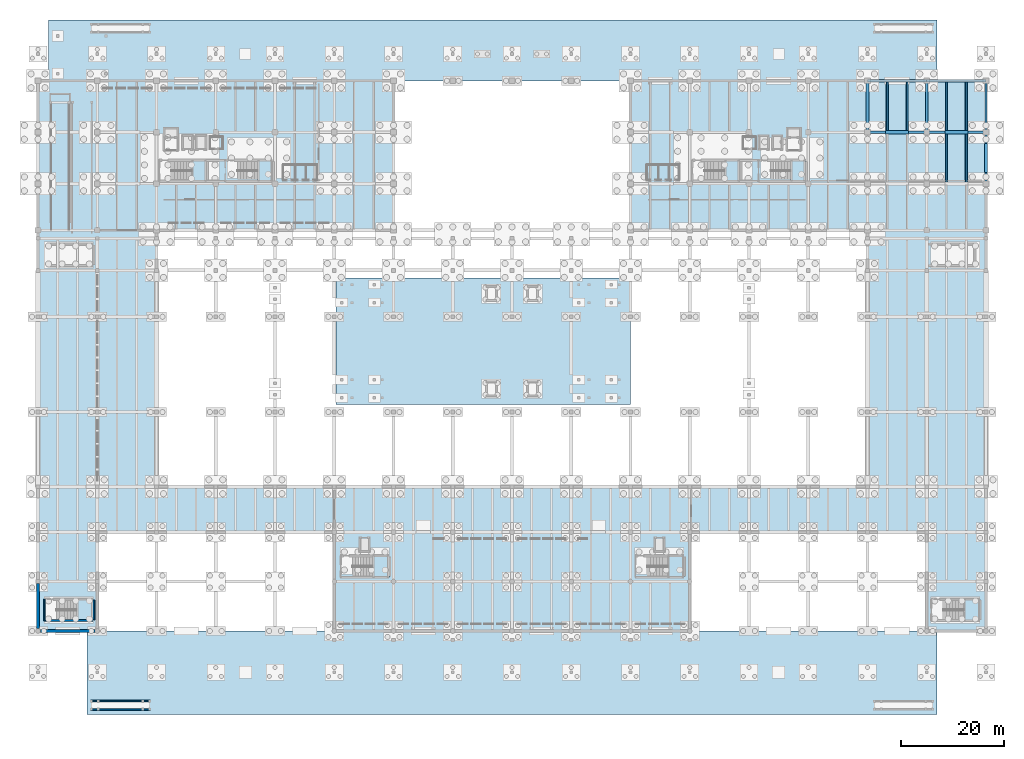
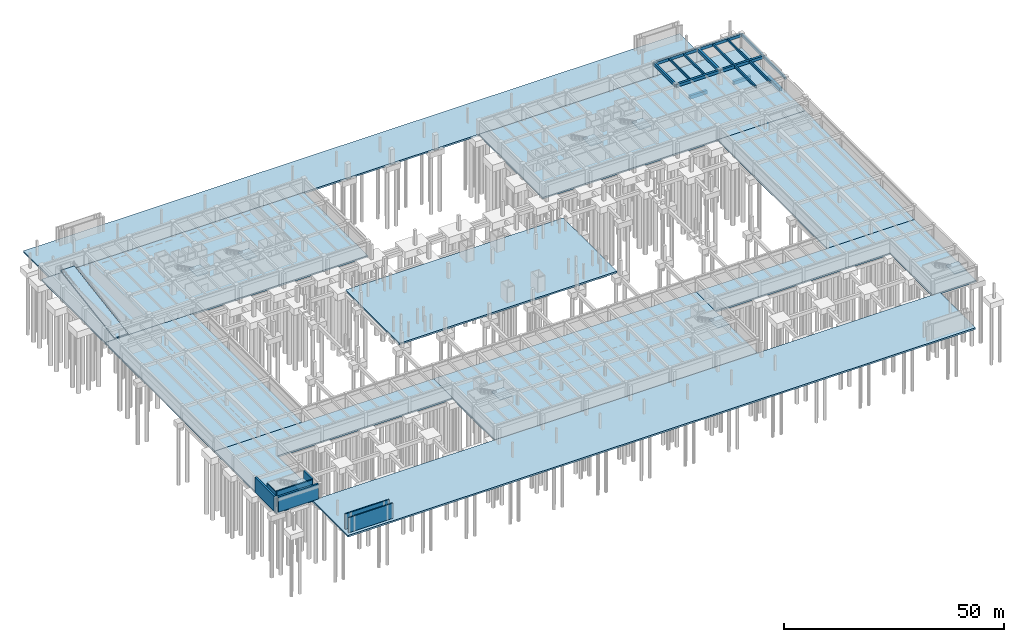
# One storey, part 16 of 28: 19 slabs, 17 beams, 7 walls, 8 elements without a shape of their own.
"""IFC4 building model written with IfcOpenShell, lengths in metres."""

from ifc_helpers import new_model, si_unit, direction, frame, frame_2d, origin, origin_2d, place, context, subcontext, project, spatial, polyline, rectangle, outline, extrude, material, layer, layer_set, material_profile, profile_set, type_object, element, aggregate, save


model = new_model("IFC4")

# Units and contexts
model_context = context("Model", 3, precision=1e-05, world=origin(), true_north=direction((0.0, 1.0)))
body_context = subcontext(model_context, "Body", "Model", "MODEL_VIEW")
ifc_project = project(units=[si_unit("LENGTHUNIT", "METRE"), si_unit("AREAUNIT", "SQUARE_METRE"), si_unit("VOLUMEUNIT", "CUBIC_METRE"), si_unit("PLANEANGLEUNIT", "RADIAN"), si_unit("MASSUNIT", "GRAM", prefix="KILO")], contexts=[model_context])

# Site, building, storey
site_placement = place(None, origin())
site = spatial("IfcSite", under=ifc_project, at=site_placement, CompositionType="ELEMENT")
building_placement = place(site_placement, origin())
building = spatial("IfcBuilding", under=site, at=building_placement, Name="Ologun Quay Terminus", CompositionType="ELEMENT")
storey_placement = place(building_placement, frame((0.0, 0.0, -8.39990234375)))
storey = spatial("IfcBuildingStorey", under=building, at=storey_placement, Name="B02", CompositionType="ELEMENT", Elevation=-8.39990234375)

# Beams
ifc_material_1 = material(Name="Concrete C40/50", Category="concrete")
ifc_material_profile_1 = material_profile(ifc_material_1, rectangle(XDim=0.550048828125, YDim=0.800048828125, at=origin_2d()), Name="RC 550x800")
ifc_profile_set_1 = profile_set([ifc_material_profile_1], Name="Concrete C40/50")
beam_type_1 = type_object("IfcBeamType", Name="Courtyard Wing Primary Girder 550x800", PredefinedType="BEAM", material=ifc_profile_set_1)
for number, where, z_axis, x_axis, name in (
    (1, (161.0, 104.800048828125, 3.52001953125), (1.0, 0.0, 0.0), (0.0, 1.0, 0.0), "B4 Beam 15/J B02"),
    (2, (172.5, 104.800048828125, 3.52001953125), (1.0, 0.0, 0.0), (0.0, 1.0, 0.0), "B4 Beam 16/J B02"),
    (3, (161.0, 114.800048828125, 3.52001953125), (1.0, 0.0, 0.0), (0.0, 1.0, 0.0), "B4 Beam 15/K B02"),
    (4, (172.5, 114.800048828125, 3.52001953125), (1.0, 0.0, 0.0), (0.0, 1.0, 0.0), "B4 Beam 16/K B02"),
):
    element("IfcBeam", number, at=place(storey_placement, frame(where, z_axis=z_axis, x_axis=x_axis)), inside=storey, type_object=beam_type_1, Name=name, PredefinedType="BEAM", context=body_context, shape_type="SweptSolid", body=[
        extrude(rectangle(XDim=0.550048828125, YDim=0.800048828125, at=origin_2d()), origin(), (0.0, 0.0, 1.0), 11.5),
    ])
for number, where, z_axis, x_axis, name in (
    (5, (161.0, 104.800048828125, 3.52001953125), (0.0, 1.0, 0.0), (-1.0, 0.0, 0.0), "B4 Beam 15/J B02"),
    (6, (172.5, 104.800048828125, 3.52001953125), (0.0, 1.0, 0.0), (-1.0, 0.0, 0.0), "B4 Beam 16/J B02"),
):
    element("IfcBeam", number, at=place(storey_placement, frame(where, z_axis=z_axis, x_axis=x_axis)), inside=storey, type_object=beam_type_1, Name=name, PredefinedType="BEAM", context=body_context, shape_type="SweptSolid", body=[
        extrude(rectangle(XDim=0.550048828125, YDim=0.800048828125, at=origin_2d()), origin(), (0.0, 0.0, 1.0), 10.0),
    ])
ifc_material_2 = material(Name="Concrete C40/50", Category="concrete")
ifc_material_profile_2 = material_profile(ifc_material_2, rectangle(XDim=0.35009765625, YDim=0.550048828125, at=origin_2d()), Name="RC 350x550")
ifc_profile_set_2 = profile_set([ifc_material_profile_2], Name="Concrete C40/50")
beam_type_2 = type_object("IfcBeamType", Name="Courtyard Wing Secondary Joist 350x550", PredefinedType="JOIST", material=ifc_profile_set_2)
for number, where, z_axis, x_axis, name in (
    (7, (164.833251953125, 105.074951171875, 3.64501953125), (0.0, 1.0, 0.0), (-1.0, 0.0, 0.0), "J2 Beam 15/J B02"),
    (8, (168.666748046875, 105.074951171875, 3.64501953125), (0.0, 1.0, 0.0), (-1.0, 0.0, 0.0), "J2 Beam 15/J B02"),
    (9, (176.333251953125, 95.074951171875, 3.64501953125), (0.0, 1.0, 0.0), (-1.0, 0.0, 0.0), "J2 Beam 16/H B02"),
    (10, (180.166748046875, 95.074951171875, 3.64501953125), (0.0, 1.0, 0.0), (-1.0, 0.0, 0.0), "J2 Beam 16/H B02"),
    (11, (176.333251953125, 105.074951171875, 3.64501953125), (0.0, 1.0, 0.0), (-1.0, 0.0, 0.0), "J2 Beam 16/J B02"),
    (12, (180.166748046875, 105.074951171875, 3.64501953125), (0.0, 1.0, 0.0), (-1.0, 0.0, 0.0), "J2 Beam 16/J B02"),
):
    element("IfcBeam", number, at=place(storey_placement, frame(where, z_axis=z_axis, x_axis=x_axis)), inside=storey, type_object=beam_type_2, Name=name, PredefinedType="JOIST", context=body_context, shape_type="SweptSolid", body=[
        extrude(rectangle(XDim=0.35009765625, YDim=0.550048828125, at=origin_2d()), origin(), (0.0, 0.0, 1.0), 9.449951171875),
    ])
ifc_material_3 = material(Name="Concrete C35/45", Category="concrete")
ifc_material_profile_3 = material_profile(ifc_material_3, rectangle(XDim=0.64990234375, YDim=0.949951171875, at=origin_2d()), Name="RC 650x950")
ifc_profile_set_3 = profile_set([ifc_material_profile_3], Name="Concrete C35/45")
beam_type_3 = type_object("IfcBeamType", Name="Foundation Tie Beam 650x950", PredefinedType="BEAM", material=ifc_profile_set_3)
for number, where, z_axis, x_axis, name in (
    (13, (164.5, 104.800048828125, -0.925048828125), (1.0, 0.0, 0.0), (0.0, 1.0, 0.0), "GB1 Beam 1/J B02"),
    (14, (176.0, 104.800048828125, -0.925048828125), (1.0, 0.0, 0.0), (0.0, 1.0, 0.0), "GB1 Beam 1/J B02"),
):
    element("IfcBeam", number, at=place(storey_placement, frame(where, z_axis=z_axis, x_axis=x_axis)), inside=storey, type_object=beam_type_3, Name=name, PredefinedType="BEAM", context=body_context, shape_type="SweptSolid", body=[
        extrude(rectangle(XDim=0.64990234375, YDim=0.949951171875, at=origin_2d()), origin(), (0.0, 0.0, 1.0), 4.5),
    ])
beam_placement = place(storey_placement, frame((184.0, 97.0, -0.925048828125), z_axis=(0.0, 1.0, 0.0), x_axis=(-1.0, 0.0, 0.0)))
element("IfcBeam", 15, at=beam_placement, inside=storey, type_object=beam_type_3, Name="GB1 Beam 17/B B02", PredefinedType="BEAM", context=body_context, shape_type="SweptSolid", body=[
    extrude(rectangle(XDim=0.64990234375, YDim=0.949951171875, at=origin_2d()), origin(), (0.0, 0.0, 1.0), 5.60009765625),
])
ifc_material_4 = material(Name="Concrete C40/50", Category="concrete")
ifc_material_profile_4 = material_profile(ifc_material_4, rectangle(XDim=0.449951171875, YDim=0.699951171875, at=origin_2d()), Name="RC 450x700")
ifc_profile_set_4 = profile_set([ifc_material_profile_4], Name="Concrete C40/50")
beam_type_4 = type_object("IfcBeamType", Name="Perimeter Spandrel Beam 450x700", PredefinedType="SPANDREL", material=ifc_profile_set_4)
for number, where, z_axis, x_axis, name in (
    (16, (184.0, 94.800048828125, 3.56982421875), (0.0, 1.0, 0.0), (-1.0, 0.0, 0.0), "SP1 Beam 17/H B02"),
    (17, (184.0, 104.800048828125, 3.56982421875), (0.0, 1.0, 0.0), (-1.0, 0.0, 0.0), "SP1 Beam 17/J B02"),
):
    element("IfcBeam", number, at=place(storey_placement, frame(where, z_axis=z_axis, x_axis=x_axis)), inside=storey, type_object=beam_type_4, Name=name, PredefinedType="SPANDREL", context=body_context, shape_type="SweptSolid", body=[
        extrude(rectangle(XDim=0.449951171875, YDim=0.699951171875, at=origin_2d()), origin(), (0.0, 0.0, 1.0), 10.0),
    ])

# Slabs
ifc_material_5 = material(Name="Concrete C35/45", Category="concrete")
ifc_layer_1 = layer(ifc_material_5, 0.449951171875)
ifc_layer_set_1 = layer_set([ifc_layer_1], Name="Concrete C35/45")
slab_type_1 = type_object("IfcSlabType", Name="Basement Mat Base Slab 450", PredefinedType="BASESLAB", material=ifc_layer_set_1)
slab_1_placement = place(storey_placement, frame((0.0, 0.0, -0.4501953125)))
element("IfcSlab", 18, at=slab_1_placement, inside=storey, type_object=slab_type_1, Name="SL-BS Base Mat Slab STHW", PredefinedType="BASESLAB", context=body_context, shape_type="SweptSolid", body=[
    extrude(outline(polyline([(0.0, 8.0), (11.5, 8.0), (11.5, 27.199951171875), (57.5, 27.199951171875), (57.5, 36.0), (0.0, 36.0), (0.0, 8.0)])), origin(), (0.0, 0.0, 1.0), 0.4501953125),
])
slab_2_placement = place(storey_placement, frame((0.0, 0.0, -0.4501953125)))
element("IfcSlab", 19, at=slab_2_placement, inside=storey, type_object=slab_type_1, Name="SL-BS Base Mat Slab STHC", PredefinedType="BASESLAB", context=body_context, shape_type="SweptSolid", body=[
    extrude(outline(polyline([(57.5, 8.0), (126.5, 8.0), (126.5, 36.0), (57.5, 36.0), (57.5, 8.0)])), origin(), (0.0, 0.0, 1.0), 0.4501953125),
])
slab_3_placement = place(storey_placement, frame((0.0, 0.0, -0.4501953125)))
element("IfcSlab", 20, at=slab_3_placement, inside=storey, type_object=slab_type_1, Name="SL-BS Base Mat Slab STHE", PredefinedType="BASESLAB", context=body_context, shape_type="SweptSolid", body=[
    extrude(outline(polyline([(126.5, 27.199951171875), (172.5, 27.199951171875), (172.5, 8.0), (184.0, 8.0), (184.0, 36.0), (126.5, 36.0), (126.5, 27.199951171875)])), origin(), (0.0, 0.0, 1.0), 0.4501953125),
])
slab_4_placement = place(storey_placement, frame((0.0, 0.0, -0.4501953125)))
element("IfcSlab", 21, at=slab_4_placement, inside=storey, type_object=slab_type_1, Name="SL-BS Base Mat Slab WLNK", PredefinedType="BASESLAB", context=body_context, shape_type="SweptSolid", body=[
    extrude(outline(polyline([(0.0, 36.0), (23.0, 36.0), (23.0, 85.800048828125), (0.0, 85.800048828125), (0.0, 36.0)])), origin(), (0.0, 0.0, 1.0), 0.4501953125),
])
slab_5_placement = place(storey_placement, frame((0.0, 0.0, -0.4501953125)))
element("IfcSlab", 22, at=slab_5_placement, inside=storey, type_object=slab_type_1, Name="SL-BS Base Mat Slab ELNK", PredefinedType="BASESLAB", context=body_context, shape_type="SweptSolid", body=[
    extrude(outline(polyline([(161.0, 36.0), (184.0, 36.0), (184.0, 85.800048828125), (161.0, 85.800048828125), (161.0, 36.0)])), origin(), (0.0, 0.0, 1.0), 0.4501953125),
])
slab_6_placement = place(storey_placement, frame((0.0, 0.0, -0.4501953125)))
element("IfcSlab", 23, at=slab_6_placement, inside=storey, type_object=slab_type_1, Name="SL-BS Base Mat Slab WWNG", PredefinedType="BASESLAB", context=body_context, shape_type="SweptSolid", body=[
    extrude(outline(polyline([(0.0, 85.800048828125), (69.0, 85.800048828125), (69.0, 114.800048828125), (0.0, 114.800048828125), (0.0, 85.800048828125)])), origin(), (0.0, 0.0, 1.0), 0.4501953125),
])
slab_7_placement = place(storey_placement, frame((0.0, 0.0, -0.4501953125)))
element("IfcSlab", 24, at=slab_7_placement, inside=storey, type_object=slab_type_1, Name="SL-BS Base Mat Slab EWNG", PredefinedType="BASESLAB", context=body_context, shape_type="SweptSolid", body=[
    extrude(outline(polyline([(115.0, 85.800048828125), (184.0, 85.800048828125), (184.0, 114.800048828125), (115.0, 114.800048828125), (115.0, 85.800048828125)])), origin(), (0.0, 0.0, 1.0), 0.4501953125),
])
slab_8_placement = place(storey_placement, frame((0.0, 0.0, -0.4501953125)))
element("IfcSlab", 25, at=slab_8_placement, inside=storey, type_object=slab_type_1, Name="SL-BS Base Mat Slab RMPS", PredefinedType="BASESLAB", context=body_context, shape_type="SweptSolid", body=[
    extrude(outline(polyline([(9.5, -8.199951171875), (174.5, -8.199951171875), (174.5, 8.0), (9.5, 8.0), (9.5, -8.199951171875)])), origin(), (0.0, 0.0, 1.0), 0.4501953125),
])
slab_9_placement = place(storey_placement, frame((0.0, 0.0, -0.4501953125)))
element("IfcSlab", 26, at=slab_9_placement, inside=storey, type_object=slab_type_1, Name="SL-BS Base Mat Slab RMPN", PredefinedType="BASESLAB", context=body_context, shape_type="SweptSolid", body=[
    extrude(outline(polyline([(2.0, 114.800048828125), (174.5, 114.800048828125), (174.5, 126.60009765625), (2.0, 126.60009765625), (2.0, 114.800048828125)])), origin(), (0.0, 0.0, 1.0), 0.4501953125),
])
slab_10_placement = place(storey_placement, frame((0.0, 0.0, -0.4501953125)))
element("IfcSlab", 27, at=slab_10_placement, inside=storey, type_object=slab_type_1, Name="SL-BS Base Mat Slab PSTS", PredefinedType="BASESLAB", context=body_context, shape_type="SweptSolid", body=[
    extrude(outline(polyline([(57.800048828125, 52.0), (115.0, 52.0), (115.0, 76.5), (57.800048828125, 76.5), (57.800048828125, 52.0)])), origin(), (0.0, 0.0, 1.0), 0.4501953125),
])

# Stair, slab
ifc_material_6 = material(Name="Concrete C40/50", Category="concrete")
stair_type_1 = type_object("IfcStairType", Name="Courtyard Wing Core Escape Stair 1700", PredefinedType="HALF_TURN_STAIR", material=ifc_material_6)
stair_1_placement = place(storey_placement, origin())
stair_1 = element("IfcStair", 28, at=stair_1_placement, inside=storey, type_object=stair_type_1, Name="ST-W1 Stair B02", PredefinedType="HALF_TURN_STAIR")
ifc_material_7 = material(Name="Precast Concrete C40/50", Category="concrete")
ifc_layer_2 = layer(ifc_material_7, 0.179931640625)
ifc_layer_set_2 = layer_set([ifc_layer_2], Name="Precast Concrete C40/50")
slab_type_2 = type_object("IfcSlabType", Name="Precast Stair Half-Landing Slab 180", PredefinedType="LANDING", material=ifc_layer_set_2)
slab_11_placement = place(storey_placement, frame((0.0, 0.0, 1.919921875)))
slab_11 = element("IfcSlab", 29, at=slab_11_placement, type_object=slab_type_2, Name="ST-W1 Half-Landing B02", PredefinedType="LANDING", context=body_context, shape_type="SweptSolid", body=[
    extrude(outline(polyline([(29.719970703125, 95.469970703125), (32.72998046875, 95.469970703125), (32.72998046875, 99.22998046875), (29.719970703125, 99.22998046875), (29.719970703125, 95.469970703125)])), origin(), (0.0, 0.0, 1.0), 0.179931640625),
])
aggregate(stair_1, [slab_11])

stair_2_placement = place(storey_placement, origin())
stair_2 = element("IfcStair", 30, at=stair_2_placement, inside=storey, type_object=stair_type_1, Name="ST-W2 Stair B02", PredefinedType="HALF_TURN_STAIR")
slab_12_placement = place(storey_placement, frame((0.0, 0.0, 1.919921875)))
slab_12 = element("IfcSlab", 31, at=slab_12_placement, type_object=slab_type_2, Name="ST-W2 Half-Landing B02", PredefinedType="LANDING", context=body_context, shape_type="SweptSolid", body=[
    extrude(outline(polyline([(42.570068359375, 95.469970703125), (45.530029296875, 95.469970703125), (45.530029296875, 99.22998046875), (42.570068359375, 99.22998046875), (42.570068359375, 95.469970703125)])), origin(), (0.0, 0.0, 1.0), 0.179931640625),
])
aggregate(stair_2, [slab_12])

stair_3_placement = place(storey_placement, origin())
stair_3 = element("IfcStair", 32, at=stair_3_placement, inside=storey, type_object=stair_type_1, Name="ST-E1 Stair B02", PredefinedType="HALF_TURN_STAIR")
slab_13_placement = place(storey_placement, frame((0.0, 0.0, 1.919921875)))
slab_13 = element("IfcSlab", 33, at=slab_13_placement, type_object=slab_type_2, Name="ST-E1 Half-Landing B02", PredefinedType="LANDING", context=body_context, shape_type="SweptSolid", body=[
    extrude(outline(polyline([(133.219970703125, 95.469970703125), (136.22998046875, 95.469970703125), (136.22998046875, 99.22998046875), (133.219970703125, 99.22998046875), (133.219970703125, 95.469970703125)])), origin(), (0.0, 0.0, 1.0), 0.179931640625),
])
aggregate(stair_3, [slab_13])

stair_4_placement = place(storey_placement, origin())
stair_4 = element("IfcStair", 34, at=stair_4_placement, inside=storey, type_object=stair_type_1, Name="ST-E2 Stair B02", PredefinedType="HALF_TURN_STAIR")
slab_14_placement = place(storey_placement, frame((0.0, 0.0, 1.919921875)))
slab_14 = element("IfcSlab", 35, at=slab_14_placement, type_object=slab_type_2, Name="ST-E2 Half-Landing B02", PredefinedType="LANDING", context=body_context, shape_type="SweptSolid", body=[
    extrude(outline(polyline([(146.070068359375, 95.469970703125), (149.030029296875, 95.469970703125), (149.030029296875, 99.22998046875), (146.070068359375, 99.22998046875), (146.070068359375, 95.469970703125)])), origin(), (0.0, 0.0, 1.0), 0.179931640625),
])
aggregate(stair_4, [slab_14])

ifc_material_8 = material(Name="Concrete C40/50", Category="concrete")
stair_type_2 = type_object("IfcStairType", Name="Station Concourse Escape Stair 1800", PredefinedType="HALF_TURN_STAIR", material=ifc_material_8)
stair_5_placement = place(storey_placement, origin())
stair_5 = element("IfcStair", 36, at=stair_5_placement, inside=storey, type_object=stair_type_2, Name="ST-S1 Stair B02", PredefinedType="HALF_TURN_STAIR")
slab_15_placement = place(storey_placement, frame((0.0, 0.0, 1.919921875)))
slab_15 = element("IfcSlab", 37, at=slab_15_placement, type_object=slab_type_2, Name="ST-S1 Half-Landing B02", PredefinedType="LANDING", context=body_context, shape_type="SweptSolid", body=[
    extrude(outline(polyline([(7.469970703125, 10.1201171875), (10.72998046875, 10.1201171875), (10.72998046875, 14.080078125), (7.469970703125, 14.080078125), (7.469970703125, 10.1201171875)])), origin(), (0.0, 0.0, 1.0), 0.179931640625),
])
aggregate(stair_5, [slab_15])

stair_6_placement = place(storey_placement, origin())
stair_6 = element("IfcStair", 38, at=stair_6_placement, inside=storey, type_object=stair_type_2, Name="ST-S2 Stair B02", PredefinedType="HALF_TURN_STAIR")
slab_16_placement = place(storey_placement, frame((0.0, 0.0, 1.919921875)))
slab_16 = element("IfcSlab", 39, at=slab_16_placement, type_object=slab_type_2, Name="ST-S2 Half-Landing B02", PredefinedType="LANDING", context=body_context, shape_type="SweptSolid", body=[
    extrude(outline(polyline([(179.570068359375, 10.1201171875), (182.830078125, 10.1201171875), (182.830078125, 14.080078125), (179.570068359375, 14.080078125), (179.570068359375, 10.1201171875)])), origin(), (0.0, 0.0, 1.0), 0.179931640625),
])
aggregate(stair_6, [slab_16])

stair_7_placement = place(storey_placement, origin())
stair_7 = element("IfcStair", 40, at=stair_7_placement, inside=storey, type_object=stair_type_2, Name="ST-S3 Stair B02", PredefinedType="HALF_TURN_STAIR")
slab_17_placement = place(storey_placement, frame((0.0, 0.0, 1.919921875)))
slab_17 = element("IfcSlab", 41, at=slab_17_placement, type_object=slab_type_2, Name="ST-S3 Half-Landing B02", PredefinedType="LANDING", context=body_context, shape_type="SweptSolid", body=[
    extrude(outline(polyline([(64.919921875, 18.52001953125), (68.179931640625, 18.52001953125), (68.179931640625, 22.47998046875), (64.919921875, 22.47998046875), (64.919921875, 18.52001953125)])), origin(), (0.0, 0.0, 1.0), 0.179931640625),
])
aggregate(stair_7, [slab_17])

stair_8_placement = place(storey_placement, origin())
stair_8 = element("IfcStair", 42, at=stair_8_placement, inside=storey, type_object=stair_type_2, Name="ST-S4 Stair B02", PredefinedType="HALF_TURN_STAIR")
slab_18_placement = place(storey_placement, frame((0.0, 0.0, 1.919921875)))
slab_18 = element("IfcSlab", 43, at=slab_18_placement, type_object=slab_type_2, Name="ST-S4 Half-Landing B02", PredefinedType="LANDING", context=body_context, shape_type="SweptSolid", body=[
    extrude(outline(polyline([(122.1201171875, 18.52001953125), (125.3798828125, 18.52001953125), (125.3798828125, 22.47998046875), (122.1201171875, 22.47998046875), (122.1201171875, 18.52001953125)])), origin(), (0.0, 0.0, 1.0), 0.179931640625),
])
aggregate(stair_8, [slab_18])

# Slab
ifc_material_9 = material(Name="Concrete C40/50", Category="concrete")
ifc_layer_3 = layer(ifc_material_9, 0.280029296875)
ifc_layer_set_3 = layer_set([ifc_layer_3], Name="Concrete C40/50")
slab_type_3 = type_object("IfcSlabType", Name="Structural Underground Vehicle Ramp Slab 280", PredefinedType="FLOOR", material=ifc_layer_set_3)
slab_19_placement = place(storey_placement, frame((2.5, 85.919921875, 0.2998046875), z_axis=(0.0, -0.157022449965, 0.987595033507), x_axis=(0.0, 0.987595033507, 0.157022449965)))
element("IfcSlab", 44, at=slab_19_placement, inside=storey, type_object=slab_type_3, Name="SL-VRMP Underground Vehicle Ramp Slab B02", PredefinedType="FLOOR", context=body_context, shape_type="SweptSolid", body=[
    extrude(outline(polyline([(0.0, 0.0), (24.838145661565164, 0.0), (24.838145661565164, -3.600097656250001), (0.0, -3.600097656250001), (0.0, 0.0)])), origin(), (0.0, 0.0, -1.0), 0.280029296875),
])

# Walls
ifc_material_10 = material(Name="Concrete C35/45", Category="concrete")
ifc_layer_4 = layer(ifc_material_10, 0.5)
ifc_layer_set_4 = layer_set([ifc_layer_4], Name="Concrete C35/45")
wall_type_1 = type_object("IfcWallType", Name="Basement Perimeter Retaining Wall 500", PredefinedType="SHEAR", material=ifc_layer_set_4)
wall_1_placement = place(storey_placement, frame((0.469970703125, 8.0, 0.0), z_axis=(0.0, 0.0, 1.0), x_axis=(1.0, 0.0, 0.0)))
element("IfcWall", 45, at=wall_1_placement, inside=storey, type_object=wall_type_1, Name="Retaining Wall S1-1 B02", PredefinedType="SHEAR", context=body_context, shape_type="SweptSolid", body=[
    extrude(rectangle(XDim=10.56005859375, YDim=0.5, at=frame_2d((5.280029296875, 0.0))), origin(), (0.0, 0.0, 1.0), 4.199951171875),
])
wall_2_placement = place(storey_placement, frame((0.0, 8.469970703125, 0.0), z_axis=(0.0, 0.0, 1.0), x_axis=(0.0, 1.0, 0.0)))
element("IfcWall", 46, at=wall_2_placement, inside=storey, type_object=wall_type_1, Name="Retaining Wall WG-Y1 B02", PredefinedType="SHEAR", context=body_context, shape_type="SweptSolid", body=[
    extrude(rectangle(XDim=8.760009765625, YDim=0.5, at=frame_2d((4.3798828125, 0.0))), origin(), (0.0, 0.0, 1.0), 4.199951171875),
])
ifc_material_11 = material(Name="Concrete C40/50", Category="concrete")
ifc_layer_5 = layer(ifc_material_11, 0.239990234375)
ifc_layer_set_5 = layer_set([ifc_layer_5], Name="Concrete C40/50")
wall_type_2 = type_object("IfcWallType", Name="Fire Compartment Blockwork Wall 240", PredefinedType="SOLIDWALL", material=ifc_layer_set_5)
wall_3_placement = place(storey_placement, frame((1.25, 10.02001953125, 0.0), z_axis=(0.0, 0.0, 1.0), x_axis=(0.0, 1.0, 0.0)))
element("IfcWall", 47, at=wall_3_placement, inside=storey, type_object=wall_type_2, Name="PW-01 Partition ST-S1-W", PredefinedType="SOLIDWALL", context=body_context, shape_type="SweptSolid", body=[
    extrude(rectangle(XDim=4.159912109375, YDim=0.239990234375, at=frame_2d((2.080078125, 0.0))), origin(), (0.0, 0.0, 1.0), 3.89990234375),
])
ifc_material_12 = material(Name="Concrete C40/50", Category="concrete")
ifc_layer_6 = layer(ifc_material_12, 0.35009765625)
ifc_layer_set_6 = layer_set([ifc_layer_6], Name="Concrete C40/50")
wall_type_3 = type_object("IfcWallType", Name="Station Core Shear Wall 350", PredefinedType="SHEAR", material=ifc_layer_set_6)
wall_4_placement = place(storey_placement, frame((1.25, 10.02490234375, 0.0), z_axis=(0.0, 0.0, 1.0), x_axis=(1.0, 0.0, 0.0)))
element("IfcWall", 48, at=wall_4_placement, inside=storey, type_object=wall_type_3, Name="Station Core 1 S Shear Wall B02", PredefinedType="SHEAR", context=body_context, shape_type="SweptSolid", body=[
    extrude(rectangle(XDim=9.39990234375, YDim=0.35009765625, at=frame_2d((4.699951171875, 0.0))), origin(), (0.0, 0.0, 1.0), 4.199951171875),
])
wall_5_placement = place(storey_placement, frame((10.824951171875, 10.199951171875, 0.0), z_axis=(0.0, 0.0, 1.0), x_axis=(0.0, 1.0, 0.0)))
element("IfcWall", 49, at=wall_5_placement, inside=storey, type_object=wall_type_3, Name="Station Core 1 E Shear Wall B02", PredefinedType="SHEAR", context=body_context, shape_type="SweptSolid", body=[
    extrude(rectangle(XDim=3.800048828125, YDim=0.35009765625, at=frame_2d((1.89990234375, 0.0))), origin(), (0.0, 0.0, 1.0), 4.199951171875),
])
ifc_material_13 = material(Name="Concrete C40/50", Category="concrete")
ifc_layer_7 = layer(ifc_material_13, 0.27001953125)
ifc_layer_set_7 = layer_set([ifc_layer_7], Name="Concrete C40/50")
wall_type_4 = type_object("IfcWallType", Name="Vehicle Ramp Bay Structural Wall 270", PredefinedType="SHEAR", material=ifc_layer_set_7)
for number, where, z_axis, x_axis, name in (
    (50, (10.199951171875, -7.219970703125, 0.0), (0.0, 0.0, 1.0), (1.0, 0.0, 0.0), "SW-RMP Ramp Plinth Wall 3S B02"),
    (51, (10.199951171875, -5.580078125, 0.0), (0.0, 0.0, 1.0), (1.0, 0.0, 0.0), "SW-RMP Ramp Plinth Wall 3N B02"),
):
    element("IfcWall", number, at=place(storey_placement, frame(where, z_axis=z_axis, x_axis=x_axis)), inside=storey, type_object=wall_type_4, Name=name, PredefinedType="SHEAR", context=body_context, shape_type="SweptSolid", body=[
        extrude(rectangle(XDim=11.60009765625, YDim=0.27001953125, at=frame_2d((5.800048828125, 0.0))), origin(), (0.0, 0.0, 1.0), 4.199951171875),
    ])

save(model, "model.ifc")
